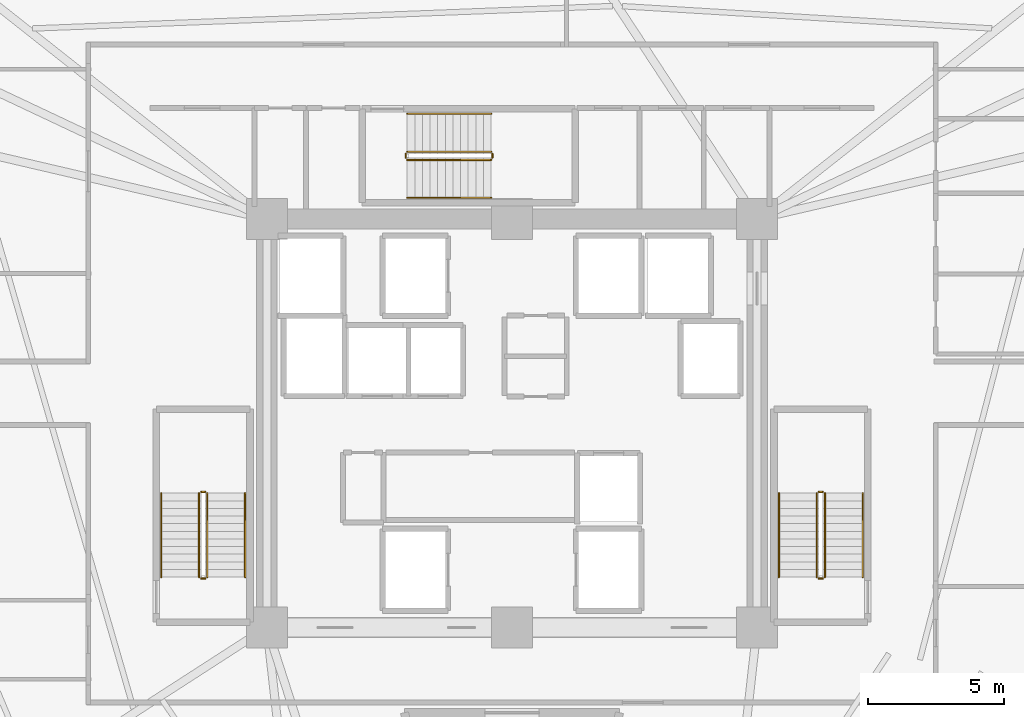
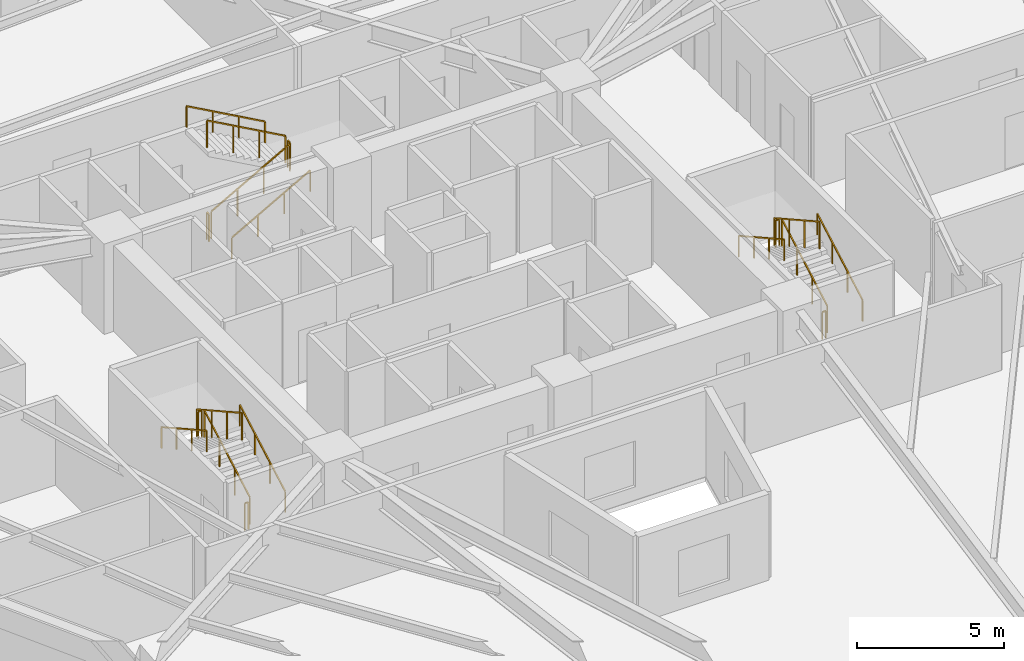
# One storey, part 8 of 8: 18 railings.
"""IFC4 building model written with IfcOpenShell, lengths in metres."""

from ifc_helpers import new_model, si_unit, direction, frame, origin, origin_2d, place, context, subcontext, project, spatial, rectangle, extrude, material, type_object, element, save


model = new_model("IFC4")

# Units and contexts
model_context = context("Model", 3, precision=1e-05, world=origin(), true_north=direction((0.0, 1.0)))
body_context = subcontext(model_context, "Body", "Model", "MODEL_VIEW")
ifc_project = project(units=[si_unit("LENGTHUNIT", "METRE"), si_unit("AREAUNIT", "SQUARE_METRE"), si_unit("VOLUMEUNIT", "CUBIC_METRE"), si_unit("PLANEANGLEUNIT", "RADIAN"), si_unit("MASSUNIT", "GRAM", prefix="KILO")], contexts=[model_context])

# Site, building, storey
site_placement = place(None, origin())
site = spatial("IfcSite", under=ifc_project, at=site_placement, CompositionType="ELEMENT")
building_placement = place(site_placement, origin())
building = spatial("IfcBuilding", under=site, at=building_placement, Name="Liaohun Quay Tower", CompositionType="ELEMENT")
storey_placement = place(building_placement, frame((0.0, 0.0, 170.25)))
storey = spatial("IfcBuildingStorey", under=building, at=storey_placement, Name="L44", CompositionType="ELEMENT", Elevation=170.25)

# Railings
ifc_material_1 = material(Name="Painted tubular steel", Category="steel")
railing_type_1 = type_object("IfcRailingType", Name="RLG-GUARD-STR", PredefinedType="GUARDRAIL", material=ifc_material_1)
railing_1_placement = place(storey_placement, frame((48.81005859375, 48.35009765625, 0.15625)))
element("IfcRailing", 1, at=railing_1_placement, inside=storey, type_object=railing_type_1, Name="L44 ST-1 stair guard 1", PredefinedType="GUARDRAIL", context=body_context, shape_type="SweptSolid", body=[
    extrude(rectangle(XDim=0.048095703125, YDim=0.048095703125, at=origin_2d()), frame((0.0, 0.0, 1.1259765625), z_axis=(0.0, 0.873225103656, 0.487317061414), x_axis=(-1.0, 0.0, 0.0)), (0.0, 0.0, 1.0), 3.52685546875),
    extrude(rectangle(XDim=0.0419921875, YDim=0.0419921875, at=origin_2d()), origin(), (0.0, 0.0, 1.0), 1.101806640625),
    extrude(rectangle(XDim=0.0419921875, YDim=0.0419921875, at=origin_2d()), frame((0.0, 1.026611328125, 0.572998046875)), (0.0, 0.0, 1.0), 1.101806640625),
    extrude(rectangle(XDim=0.0419921875, YDim=0.0419921875, at=origin_2d()), frame((0.0, 2.05322265625, 1.145751953125)), (0.0, 0.0, 1.0), 1.101806640625),
    extrude(rectangle(XDim=0.0419921875, YDim=0.0419921875, at=origin_2d()), frame((0.0, 3.079833984375, 1.71875)), (0.0, 0.0, 1.0), 1.101806640625),
])
railing_2_placement = place(storey_placement, frame((48.72998046875, 51.47998046875, 1.875)))
element("IfcRailing", 2, at=railing_2_placement, inside=storey, type_object=railing_type_1, Name="L44 ST-1 stair guard 2", PredefinedType="GUARDRAIL", context=body_context, shape_type="SweptSolid", body=[
    extrude(rectangle(XDim=0.048095703125, YDim=0.048095703125, at=origin_2d()), frame((0.0, 0.0, 1.1259765625), z_axis=(-1.0, 0.0, 0.0), x_axis=(0.0, -1.0, 0.0)), (0.0, 0.0, 1.0), 0.139892578125),
    extrude(rectangle(XDim=0.0419921875, YDim=0.0419921875, at=origin_2d()), origin(), (0.0, 0.0, 1.0), 1.101806640625),
    extrude(rectangle(XDim=0.0419921875, YDim=0.0419921875, at=origin_2d()), frame((-0.139892578125, 0.0, 0.0)), (0.0, 0.0, 1.0), 1.101806640625),
])
railing_3_placement = place(storey_placement, frame((48.510009765625, 51.429931640625, 2.03125)))
element("IfcRailing", 3, at=railing_3_placement, inside=storey, type_object=railing_type_1, Name="L44 ST-1 stair guard 3", PredefinedType="GUARDRAIL", context=body_context, shape_type="SweptSolid", body=[
    extrude(rectangle(XDim=0.048095703125, YDim=0.048095703125, at=origin_2d()), frame((0.0, 0.0, 1.1259765625), z_axis=(0.0, -0.873225103656, 0.487317061414), x_axis=(1.0, 0.0, 0.0)), (0.0, 0.0, 1.0), 3.52685546875),
    extrude(rectangle(XDim=0.0419921875, YDim=0.0419921875, at=origin_2d()), origin(), (0.0, 0.0, 1.0), 1.101806640625),
    extrude(rectangle(XDim=0.0419921875, YDim=0.0419921875, at=origin_2d()), frame((0.0, -1.026611328125, 0.572998046875)), (0.0, 0.0, 1.0), 1.101806640625),
    extrude(rectangle(XDim=0.0419921875, YDim=0.0419921875, at=origin_2d()), frame((0.0, -2.05322265625, 1.145751953125)), (0.0, 0.0, 1.0), 1.101806640625),
    extrude(rectangle(XDim=0.0419921875, YDim=0.0419921875, at=origin_2d()), frame((0.0, -3.079833984375, 1.71875)), (0.0, 0.0, 1.0), 1.101806640625),
])
railing_4_placement = place(storey_placement, frame((48.72998046875, 48.300048828125, 0.0)))
element("IfcRailing", 4, at=railing_4_placement, inside=storey, type_object=railing_type_1, Name="L44 ST-1 stair guard 4", PredefinedType="GUARDRAIL", context=body_context, shape_type="SweptSolid", body=[
    extrude(rectangle(XDim=0.048095703125, YDim=0.048095703125, at=origin_2d()), frame((0.0, 0.0, 1.1259765625), z_axis=(-1.0, 0.0, 0.0), x_axis=(0.0, -1.0, 0.0)), (0.0, 0.0, 1.0), 0.139892578125),
    extrude(rectangle(XDim=0.0419921875, YDim=0.0419921875, at=origin_2d()), origin(), (0.0, 0.0, 1.0), 1.101806640625),
    extrude(rectangle(XDim=0.0419921875, YDim=0.0419921875, at=origin_2d()), frame((-0.139892578125, 0.0, 0.0)), (0.0, 0.0, 1.0), 1.101806640625),
])
railing_5_placement = place(storey_placement, frame((71.489990234375, 48.35009765625, 0.15625)))
element("IfcRailing", 5, at=railing_5_placement, inside=storey, type_object=railing_type_1, Name="L44 ST-2 stair guard 1", PredefinedType="GUARDRAIL", context=body_context, shape_type="SweptSolid", body=[
    extrude(rectangle(XDim=0.048095703125, YDim=0.048095703125, at=origin_2d()), frame((0.0, 0.0, 1.1259765625), z_axis=(0.0, 0.873225103656, 0.487317061414), x_axis=(-1.0, 0.0, 0.0)), (0.0, 0.0, 1.0), 3.52685546875),
    extrude(rectangle(XDim=0.0419921875, YDim=0.0419921875, at=origin_2d()), origin(), (0.0, 0.0, 1.0), 1.101806640625),
    extrude(rectangle(XDim=0.0419921875, YDim=0.0419921875, at=origin_2d()), frame((0.0, 1.026611328125, 0.572998046875)), (0.0, 0.0, 1.0), 1.101806640625),
    extrude(rectangle(XDim=0.0419921875, YDim=0.0419921875, at=origin_2d()), frame((0.0, 2.05322265625, 1.145751953125)), (0.0, 0.0, 1.0), 1.101806640625),
    extrude(rectangle(XDim=0.0419921875, YDim=0.0419921875, at=origin_2d()), frame((0.0, 3.079833984375, 1.71875)), (0.0, 0.0, 1.0), 1.101806640625),
])
railing_6_placement = place(storey_placement, frame((71.409912109375, 51.47998046875, 1.875)))
element("IfcRailing", 6, at=railing_6_placement, inside=storey, type_object=railing_type_1, Name="L44 ST-2 stair guard 2", PredefinedType="GUARDRAIL", context=body_context, shape_type="SweptSolid", body=[
    extrude(rectangle(XDim=0.048095703125, YDim=0.048095703125, at=origin_2d()), frame((0.0, 0.0, 1.1259765625), z_axis=(-1.0, 0.0, 0.0), x_axis=(0.0, -1.0, 0.0)), (0.0, 0.0, 1.0), 0.139892578125),
    extrude(rectangle(XDim=0.0419921875, YDim=0.0419921875, at=origin_2d()), origin(), (0.0, 0.0, 1.0), 1.101806640625),
    extrude(rectangle(XDim=0.0419921875, YDim=0.0419921875, at=origin_2d()), frame((-0.139892578125, 0.0, 0.0)), (0.0, 0.0, 1.0), 1.101806640625),
])
railing_7_placement = place(storey_placement, frame((71.18994140625, 51.429931640625, 2.03125)))
element("IfcRailing", 7, at=railing_7_placement, inside=storey, type_object=railing_type_1, Name="L44 ST-2 stair guard 3", PredefinedType="GUARDRAIL", context=body_context, shape_type="SweptSolid", body=[
    extrude(rectangle(XDim=0.048095703125, YDim=0.048095703125, at=origin_2d()), frame((0.0, 0.0, 1.1259765625), z_axis=(0.0, -0.873225103656, 0.487317061414), x_axis=(1.0, 0.0, 0.0)), (0.0, 0.0, 1.0), 3.52685546875),
    extrude(rectangle(XDim=0.0419921875, YDim=0.0419921875, at=origin_2d()), origin(), (0.0, 0.0, 1.0), 1.101806640625),
    extrude(rectangle(XDim=0.0419921875, YDim=0.0419921875, at=origin_2d()), frame((0.0, -1.026611328125, 0.572998046875)), (0.0, 0.0, 1.0), 1.101806640625),
    extrude(rectangle(XDim=0.0419921875, YDim=0.0419921875, at=origin_2d()), frame((0.0, -2.05322265625, 1.145751953125)), (0.0, 0.0, 1.0), 1.101806640625),
    extrude(rectangle(XDim=0.0419921875, YDim=0.0419921875, at=origin_2d()), frame((0.0, -3.079833984375, 1.71875)), (0.0, 0.0, 1.0), 1.101806640625),
])
railing_8_placement = place(storey_placement, frame((71.409912109375, 48.300048828125, 0.0)))
element("IfcRailing", 8, at=railing_8_placement, inside=storey, type_object=railing_type_1, Name="L44 ST-2 stair guard 4", PredefinedType="GUARDRAIL", context=body_context, shape_type="SweptSolid", body=[
    extrude(rectangle(XDim=0.048095703125, YDim=0.048095703125, at=origin_2d()), frame((0.0, 0.0, 1.1259765625), z_axis=(-1.0, 0.0, 0.0), x_axis=(0.0, -1.0, 0.0)), (0.0, 0.0, 1.0), 0.139892578125),
    extrude(rectangle(XDim=0.0419921875, YDim=0.0419921875, at=origin_2d()), origin(), (0.0, 0.0, 1.0), 1.101806640625),
    extrude(rectangle(XDim=0.0419921875, YDim=0.0419921875, at=origin_2d()), frame((-0.139892578125, 0.0, 0.0)), (0.0, 0.0, 1.0), 1.101806640625),
])
railing_9_placement = place(storey_placement, frame((56.14990234375, 63.669921875, 0.15625)))
element("IfcRailing", 9, at=railing_9_placement, inside=storey, type_object=railing_type_1, Name="L44 ST-3 stair guard 1", PredefinedType="GUARDRAIL", context=body_context, shape_type="SweptSolid", body=[
    extrude(rectangle(XDim=0.048095703125, YDim=0.048095703125, at=origin_2d()), frame((0.0, 0.0, 1.1259765625), z_axis=(0.873241540666, 0.0, 0.487287606713), x_axis=(0.0, 1.0, 0.0)), (0.0, 0.0, 1.0), 3.527099609375),
    extrude(rectangle(XDim=0.0419921875, YDim=0.0419921875, at=origin_2d()), origin(), (0.0, 0.0, 1.0), 1.101806640625),
    extrude(rectangle(XDim=0.0419921875, YDim=0.0419921875, at=origin_2d()), frame((1.026611328125, 0.0, 0.572998046875)), (0.0, 0.0, 1.0), 1.101806640625),
    extrude(rectangle(XDim=0.0419921875, YDim=0.0419921875, at=origin_2d()), frame((2.053466796875, 0.0, 1.145751953125)), (0.0, 0.0, 1.0), 1.101806640625),
    extrude(rectangle(XDim=0.0419921875, YDim=0.0419921875, at=origin_2d()), frame((3.080078125, 0.0, 1.71875)), (0.0, 0.0, 1.0), 1.101806640625),
])
railing_10_placement = place(storey_placement, frame((59.280029296875, 63.75, 1.875)))
element("IfcRailing", 10, at=railing_10_placement, inside=storey, type_object=railing_type_1, Name="L44 ST-3 stair guard 2", PredefinedType="GUARDRAIL", context=body_context, shape_type="SweptSolid", body=[
    extrude(rectangle(XDim=0.048095703125, YDim=0.048095703125, at=origin_2d()), frame((0.0, 0.0, 1.1259765625), z_axis=(0.0, 1.0, 0.0), x_axis=(-1.0, 0.0, 0.0)), (0.0, 0.0, 1.0), 0.139892578125),
    extrude(rectangle(XDim=0.0419921875, YDim=0.0419921875, at=origin_2d()), origin(), (0.0, 0.0, 1.0), 1.101806640625),
    extrude(rectangle(XDim=0.0419921875, YDim=0.0419921875, at=origin_2d()), frame((0.0, 0.139892578125, 0.0)), (0.0, 0.0, 1.0), 1.101806640625),
])
railing_11_placement = place(storey_placement, frame((59.22998046875, 63.969970703125, 2.03125)))
element("IfcRailing", 11, at=railing_11_placement, inside=storey, type_object=railing_type_1, Name="L44 ST-3 stair guard 3", PredefinedType="GUARDRAIL", context=body_context, shape_type="SweptSolid", body=[
    extrude(rectangle(XDim=0.048095703125, YDim=0.048095703125, at=origin_2d()), frame((0.0, 0.0, 1.1259765625), z_axis=(-0.873241540666, 0.0, 0.487287606713), x_axis=(0.0, -1.0, 0.0)), (0.0, 0.0, 1.0), 3.527099609375),
    extrude(rectangle(XDim=0.0419921875, YDim=0.0419921875, at=origin_2d()), origin(), (0.0, 0.0, 1.0), 1.101806640625),
    extrude(rectangle(XDim=0.0419921875, YDim=0.0419921875, at=origin_2d()), frame((-1.026611328125, 0.0, 0.572998046875)), (0.0, 0.0, 1.0), 1.101806640625),
    extrude(rectangle(XDim=0.0419921875, YDim=0.0419921875, at=origin_2d()), frame((-2.053466796875, 0.0, 1.145751953125)), (0.0, 0.0, 1.0), 1.101806640625),
    extrude(rectangle(XDim=0.0419921875, YDim=0.0419921875, at=origin_2d()), frame((-3.080078125, 0.0, 1.71875)), (0.0, 0.0, 1.0), 1.101806640625),
])
railing_12_placement = place(storey_placement, frame((56.10009765625, 63.75, 0.0)))
element("IfcRailing", 12, at=railing_12_placement, inside=storey, type_object=railing_type_1, Name="L44 ST-3 stair guard 4", PredefinedType="GUARDRAIL", context=body_context, shape_type="SweptSolid", body=[
    extrude(rectangle(XDim=0.048095703125, YDim=0.048095703125, at=origin_2d()), frame((0.0, 0.0, 1.1259765625), z_axis=(0.0, 1.0, 0.0), x_axis=(-1.0, 0.0, 0.0)), (0.0, 0.0, 1.0), 0.139892578125),
    extrude(rectangle(XDim=0.0419921875, YDim=0.0419921875, at=origin_2d()), origin(), (0.0, 0.0, 1.0), 1.101806640625),
    extrude(rectangle(XDim=0.0419921875, YDim=0.0419921875, at=origin_2d()), frame((0.0, 0.139892578125, 0.0)), (0.0, 0.0, 1.0), 1.101806640625),
])
ifc_material_2 = material(Name="Brushed stainless steel", Category="steel")
railing_type_2 = type_object("IfcRailingType", Name="RLG-HND-STR", PredefinedType="HANDRAIL", material=ifc_material_2)
railing_13_placement = place(storey_placement, frame((50.199951171875, 48.35009765625, 0.15625)))
element("IfcRailing", 13, at=railing_13_placement, inside=storey, type_object=railing_type_2, Name="L44 ST-1 stair handrail 1", PredefinedType="HANDRAIL", context=body_context, shape_type="SweptSolid", body=[
    extrude(rectangle(XDim=0.048095703125, YDim=0.048095703125, at=origin_2d()), frame((0.0, 0.0, 0.8759765625), z_axis=(0.0, 0.873225103656, 0.487317061414), x_axis=(-1.0, 0.0, 0.0)), (0.0, 0.0, 1.0), 3.52685546875),
    extrude(rectangle(XDim=0.0419921875, YDim=0.0419921875, at=origin_2d()), origin(), (0.0, 0.0, 1.0), 0.851806640625),
    extrude(rectangle(XDim=0.0419921875, YDim=0.0419921875, at=origin_2d()), frame((0.0, 1.026611328125, 0.572998046875)), (0.0, 0.0, 1.0), 0.851806640625),
    extrude(rectangle(XDim=0.0419921875, YDim=0.0419921875, at=origin_2d()), frame((0.0, 2.05322265625, 1.145751953125)), (0.0, 0.0, 1.0), 0.851806640625),
    extrude(rectangle(XDim=0.0419921875, YDim=0.0419921875, at=origin_2d()), frame((0.0, 3.079833984375, 1.71875)), (0.0, 0.0, 1.0), 0.851806640625),
])
railing_14_placement = place(storey_placement, frame((47.1201171875, 51.429931640625, 2.03125)))
element("IfcRailing", 14, at=railing_14_placement, inside=storey, type_object=railing_type_2, Name="L44 ST-1 stair handrail 2", PredefinedType="HANDRAIL", context=body_context, shape_type="SweptSolid", body=[
    extrude(rectangle(XDim=0.048095703125, YDim=0.048095703125, at=origin_2d()), frame((0.0, 0.0, 0.8759765625), z_axis=(0.0, -0.873225103656, 0.487317061414), x_axis=(1.0, 0.0, 0.0)), (0.0, 0.0, 1.0), 3.52685546875),
    extrude(rectangle(XDim=0.0419921875, YDim=0.0419921875, at=origin_2d()), origin(), (0.0, 0.0, 1.0), 0.851806640625),
    extrude(rectangle(XDim=0.0419921875, YDim=0.0419921875, at=origin_2d()), frame((0.0, -1.026611328125, 0.572998046875)), (0.0, 0.0, 1.0), 0.851806640625),
    extrude(rectangle(XDim=0.0419921875, YDim=0.0419921875, at=origin_2d()), frame((0.0, -2.05322265625, 1.145751953125)), (0.0, 0.0, 1.0), 0.851806640625),
    extrude(rectangle(XDim=0.0419921875, YDim=0.0419921875, at=origin_2d()), frame((0.0, -3.079833984375, 1.71875)), (0.0, 0.0, 1.0), 0.851806640625),
])
railing_15_placement = place(storey_placement, frame((72.8798828125, 48.35009765625, 0.15625)))
element("IfcRailing", 15, at=railing_15_placement, inside=storey, type_object=railing_type_2, Name="L44 ST-2 stair handrail 1", PredefinedType="HANDRAIL", context=body_context, shape_type="SweptSolid", body=[
    extrude(rectangle(XDim=0.048095703125, YDim=0.048095703125, at=origin_2d()), frame((0.0, 0.0, 0.8759765625), z_axis=(0.0, 0.873225103656, 0.487317061414), x_axis=(-1.0, 0.0, 0.0)), (0.0, 0.0, 1.0), 3.52685546875),
    extrude(rectangle(XDim=0.0419921875, YDim=0.0419921875, at=origin_2d()), origin(), (0.0, 0.0, 1.0), 0.851806640625),
    extrude(rectangle(XDim=0.0419921875, YDim=0.0419921875, at=origin_2d()), frame((0.0, 1.026611328125, 0.572998046875)), (0.0, 0.0, 1.0), 0.851806640625),
    extrude(rectangle(XDim=0.0419921875, YDim=0.0419921875, at=origin_2d()), frame((0.0, 2.05322265625, 1.145751953125)), (0.0, 0.0, 1.0), 0.851806640625),
    extrude(rectangle(XDim=0.0419921875, YDim=0.0419921875, at=origin_2d()), frame((0.0, 3.079833984375, 1.71875)), (0.0, 0.0, 1.0), 0.851806640625),
])
railing_16_placement = place(storey_placement, frame((69.800048828125, 51.429931640625, 2.03125)))
element("IfcRailing", 16, at=railing_16_placement, inside=storey, type_object=railing_type_2, Name="L44 ST-2 stair handrail 2", PredefinedType="HANDRAIL", context=body_context, shape_type="SweptSolid", body=[
    extrude(rectangle(XDim=0.048095703125, YDim=0.048095703125, at=origin_2d()), frame((0.0, 0.0, 0.8759765625), z_axis=(0.0, -0.873225103656, 0.487317061414), x_axis=(1.0, 0.0, 0.0)), (0.0, 0.0, 1.0), 3.52685546875),
    extrude(rectangle(XDim=0.0419921875, YDim=0.0419921875, at=origin_2d()), origin(), (0.0, 0.0, 1.0), 0.851806640625),
    extrude(rectangle(XDim=0.0419921875, YDim=0.0419921875, at=origin_2d()), frame((0.0, -1.026611328125, 0.572998046875)), (0.0, 0.0, 1.0), 0.851806640625),
    extrude(rectangle(XDim=0.0419921875, YDim=0.0419921875, at=origin_2d()), frame((0.0, -2.05322265625, 1.145751953125)), (0.0, 0.0, 1.0), 0.851806640625),
    extrude(rectangle(XDim=0.0419921875, YDim=0.0419921875, at=origin_2d()), frame((0.0, -3.079833984375, 1.71875)), (0.0, 0.0, 1.0), 0.851806640625),
])
railing_17_placement = place(storey_placement, frame((56.14990234375, 62.280029296875, 0.15625)))
element("IfcRailing", 17, at=railing_17_placement, inside=storey, type_object=railing_type_2, Name="L44 ST-3 stair handrail 1", PredefinedType="HANDRAIL", context=body_context, shape_type="SweptSolid", body=[
    extrude(rectangle(XDim=0.048095703125, YDim=0.048095703125, at=origin_2d()), frame((0.0, 0.0, 0.8759765625), z_axis=(0.873241540666, 0.0, 0.487287606713), x_axis=(0.0, 1.0, 0.0)), (0.0, 0.0, 1.0), 3.527099609375),
    extrude(rectangle(XDim=0.0419921875, YDim=0.0419921875, at=origin_2d()), origin(), (0.0, 0.0, 1.0), 0.851806640625),
    extrude(rectangle(XDim=0.0419921875, YDim=0.0419921875, at=origin_2d()), frame((1.026611328125, 0.0, 0.572998046875)), (0.0, 0.0, 1.0), 0.851806640625),
    extrude(rectangle(XDim=0.0419921875, YDim=0.0419921875, at=origin_2d()), frame((2.053466796875, 0.0, 1.145751953125)), (0.0, 0.0, 1.0), 0.851806640625),
    extrude(rectangle(XDim=0.0419921875, YDim=0.0419921875, at=origin_2d()), frame((3.080078125, 0.0, 1.71875)), (0.0, 0.0, 1.0), 0.851806640625),
])
railing_18_placement = place(storey_placement, frame((59.22998046875, 65.360107421875, 2.03125)))
element("IfcRailing", 18, at=railing_18_placement, inside=storey, type_object=railing_type_2, Name="L44 ST-3 stair handrail 2", PredefinedType="HANDRAIL", context=body_context, shape_type="SweptSolid", body=[
    extrude(rectangle(XDim=0.048095703125, YDim=0.048095703125, at=origin_2d()), frame((0.0, 0.0, 0.8759765625), z_axis=(-0.873241540666, 0.0, 0.487287606713), x_axis=(0.0, -1.0, 0.0)), (0.0, 0.0, 1.0), 3.527099609375),
    extrude(rectangle(XDim=0.0419921875, YDim=0.0419921875, at=origin_2d()), origin(), (0.0, 0.0, 1.0), 0.851806640625),
    extrude(rectangle(XDim=0.0419921875, YDim=0.0419921875, at=origin_2d()), frame((-1.026611328125, 0.0, 0.572998046875)), (0.0, 0.0, 1.0), 0.851806640625),
    extrude(rectangle(XDim=0.0419921875, YDim=0.0419921875, at=origin_2d()), frame((-2.053466796875, 0.0, 1.145751953125)), (0.0, 0.0, 1.0), 0.851806640625),
    extrude(rectangle(XDim=0.0419921875, YDim=0.0419921875, at=origin_2d()), frame((-3.080078125, 0.0, 1.71875)), (0.0, 0.0, 1.0), 0.851806640625),
])

save(model, "model.ifc")
